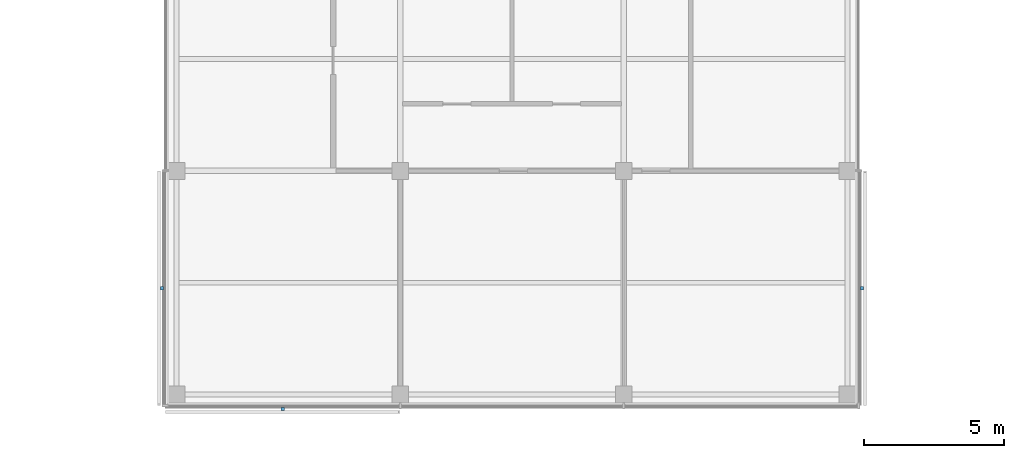
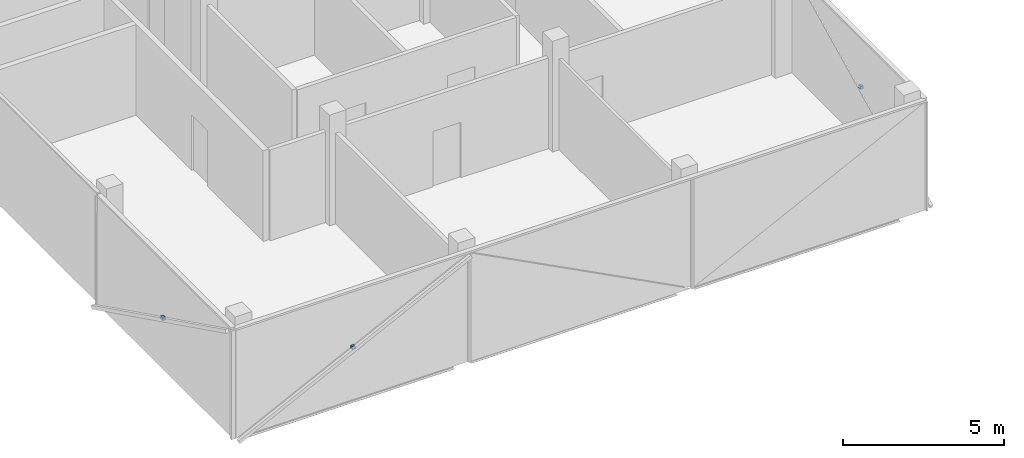
# One storey, part 14 of 16: 3 discrete accessories.
"""IFC4 building model written with IfcOpenShell, lengths in metres."""

from ifc_helpers import new_model, si_unit, direction, frame, origin, origin_2d, place, context, subcontext, project, spatial, rectangle, extrude, material, type_object, element, save


model = new_model("IFC4")

# Units and contexts
model_context = context("Model", 3, precision=1e-05, world=origin(), true_north=direction((0.0, 1.0)))
body_context = subcontext(model_context, "Body", "Model", "MODEL_VIEW")
ifc_project = project(units=[si_unit("LENGTHUNIT", "METRE"), si_unit("AREAUNIT", "SQUARE_METRE"), si_unit("VOLUMEUNIT", "CUBIC_METRE"), si_unit("PLANEANGLEUNIT", "RADIAN"), si_unit("MASSUNIT", "GRAM", prefix="KILO")], contexts=[model_context])

# Site, building, storey
site_placement = place(None, origin())
site = spatial("IfcSite", under=ifc_project, at=site_placement, CompositionType="ELEMENT")
building_placement = place(site_placement, origin())
building = spatial("IfcBuilding", under=site, at=building_placement, Name="Crosswind Convention Tower", CompositionType="ELEMENT")
storey_placement = place(building_placement, frame((0.0, 0.0, 340.699951171875)))
storey = spatial("IfcBuildingStorey", under=building, at=storey_placement, Name="L74", CompositionType="ELEMENT", Elevation=340.699951171875)

# Discrete accessories
ifc_material = material(Name="Stainless steel", Category="steel")
discrete_accessory_type = type_object("IfcDiscreteAccessoryType", Name="BAGUETTE BRACKET BK3", PredefinedType="BRACKET", material=ifc_material)
for number, where, z_axis, x_axis, name in (
    (1, (112.47412109375, 75.794921875, 1.705078125), (0.0, 0.0, 1.0), (0.0, -1.0, 0.0), "BK3 baguette bracket"),
    (2, (116.794921875, 71.47412109375, 1.705078125), (0.0, 0.0, 1.0), (1.0, 0.0, 0.0), "BK3 baguette bracket"),
    (3, (137.52587890625, 75.794921875, 1.705078125), (0.0, 0.0, 1.0), (0.0, 1.0, 0.0), "BK3 baguette bracket"),
):
    element("IfcDiscreteAccessory", number, at=place(storey_placement, frame(where, z_axis=z_axis, x_axis=x_axis)), inside=storey, type_object=discrete_accessory_type, Name=name, PredefinedType="BRACKET", context=body_context, shape_type="SweptSolid", body=[
        extrude(rectangle(XDim=0.1201171875, YDim=0.10009765625, at=origin_2d()), origin(), (0.0, 0.0, 1.0), 0.1201171875),
    ])

save(model, "model.ifc")
